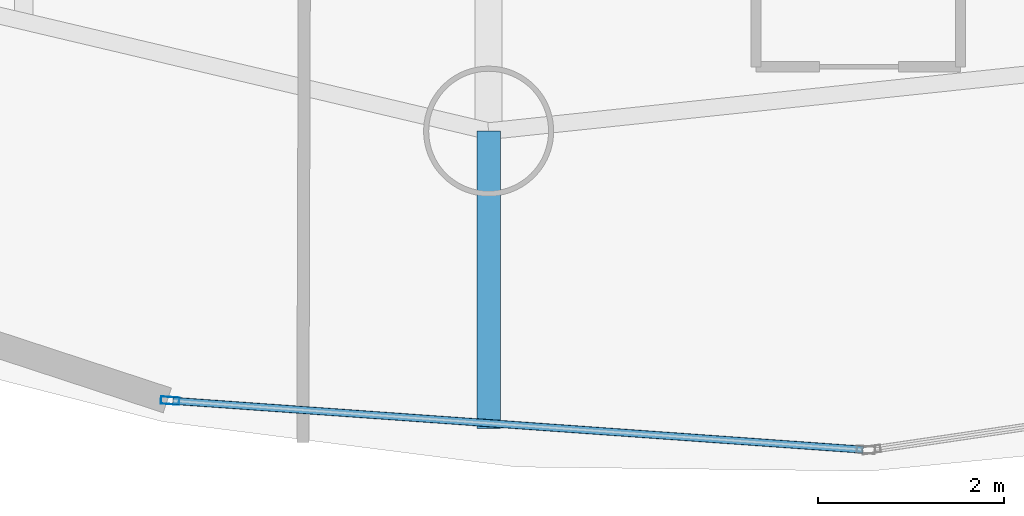
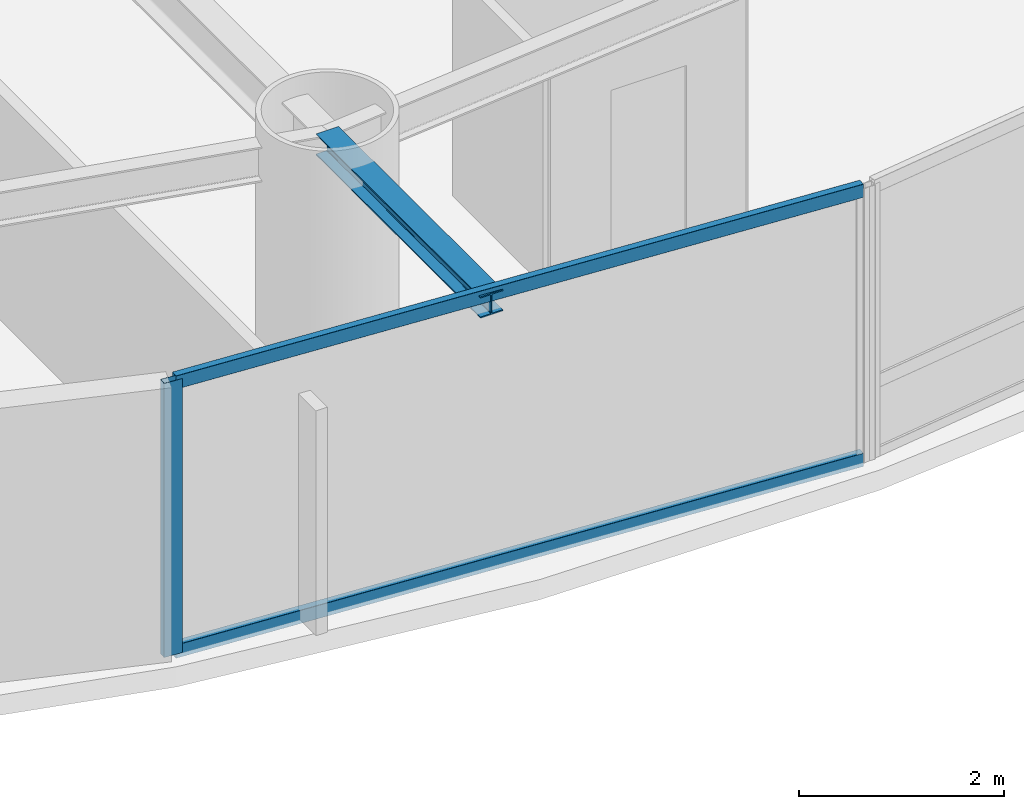
# One storey, part 2 of 22: 3 members, 1 beam, 1 element without a shape of its own.
"""IFC4 building model written with IfcOpenShell, lengths in metres."""

from ifc_helpers import new_model, si_unit, direction, frame, origin, origin_2d, place, context, subcontext, project, spatial, hollow_rectangle, i_section, extrude, material, layer, layer_set, material_profile, profile_set, type_object, element, aggregate, save


model = new_model("IFC4")

# Units and contexts
model_context = context("Model", 3, precision=1e-05, world=origin(), true_north=direction((0.0, 1.0)))
body_context = subcontext(model_context, "Body", "Model", "MODEL_VIEW")
ifc_project = project(units=[si_unit("LENGTHUNIT", "METRE"), si_unit("AREAUNIT", "SQUARE_METRE"), si_unit("VOLUMEUNIT", "CUBIC_METRE"), si_unit("PLANEANGLEUNIT", "RADIAN"), si_unit("MASSUNIT", "GRAM", prefix="KILO")], contexts=[model_context])

# Site, building, storey
site_placement = place(None, origin())
site = spatial("IfcSite", under=ifc_project, at=site_placement, CompositionType="ELEMENT")
building_placement = place(site_placement, origin())
building = spatial("IfcBuilding", under=site, at=building_placement, Name="Bramvorn Convention Spire", CompositionType="ELEMENT")
storey_placement = place(building_placement, frame((0.0, 0.0, 134.300048828125)))
storey = spatial("IfcBuildingStorey", under=building, at=storey_placement, Name="L33", CompositionType="ELEMENT", Elevation=134.300048828125)

# Beam
ifc_material_1 = material(Name="Steel CSA G40.21 Grade 350 (350W)", Category="steel")
ifc_material_profile_1 = material_profile(ifc_material_1, i_section(OverallWidth=0.25390625, OverallDepth=0.2529296875, WebThickness=0.008544921875, FlangeThickness=0.01416015625, FilletRadius=0.011962890625, at=origin_2d()))
ifc_profile_set_1 = profile_set([ifc_material_profile_1], Name="Steel CSA G40.21 Grade 350 (350W) - W250X73")
beam_type = type_object("IfcBeamType", Name="BM-W250X73", PredefinedType="BEAM", material=ifc_profile_set_1)
beam_placement = place(storey_placement, frame((39.924072265625, 5.482666015625, 3.133544921875), z_axis=(0.0, -1.0, 0.0), x_axis=(1.0, 0.0, 0.0)))
element("IfcBeam", 1, at=beam_placement, inside=storey, type_object=beam_type, Name="L33 slab-edge cantilever tip beam MC14", PredefinedType="BEAM", context=body_context, shape_type="SweptSolid", body=[
    extrude(i_section(OverallWidth=0.25390625, OverallDepth=0.2529296875, WebThickness=0.008544921875, FlangeThickness=0.01416015625, FilletRadius=0.011962890625, at=origin_2d()), origin(), (0.0, 0.0, 1.0), 3.199951171875),
])

# Curtain wall, members
ifc_material_2 = material(Name="Anodised Bronze Unitised Curtain Wall", Category="aluminium")
ifc_layer = layer(ifc_material_2, 0.179931640625)
ifc_layer_set = layer_set([ifc_layer], Name="Anodised Bronze Unitised Curtain Wall - CW-HTL-FRIT")
curtain_wall_type = type_object("IfcCurtainWallType", Name="CW-HTL-FRIT", PredefinedType="USERDEFINED", material=ifc_layer_set)
curtain_wall_placement = place(storey_placement, origin())
curtain_wall = element("IfcCurtainWall", 2, at=curtain_wall_placement, inside=storey, type_object=curtain_wall_type, Name="L33 fritted glass curtain wall 20", ObjectType="UNITISED CURTAIN WALL", PredefinedType="USERDEFINED")
ifc_material_3 = material(Name="Anodised Bronze Aluminium 6063-T6", Category="aluminium")
ifc_material_profile_2 = material_profile(ifc_material_3, hollow_rectangle(XDim=0.080078125, YDim=0.199951171875, WallThickness=0.00390625, InnerFilletRadius=0.0009765625, OuterFilletRadius=0.00390625, at=origin_2d()))
ifc_profile_set_2 = profile_set([ifc_material_profile_2], Name="Anodised Bronze Aluminium 6063-T6 - CWM80X200")
member_type_1 = type_object("IfcMemberType", Name="CW-MUL-180", PredefinedType="MULLION", material=ifc_profile_set_2)
member_1_placement = place(storey_placement, frame((36.4951171875, 2.582275390625, 0.0), z_axis=(0.0, 0.0, 1.0), x_axis=(-0.070629242873, -0.997502636614, 0.0)))
member_1 = element("IfcMember", 3, at=member_1_placement, type_object=member_type_1, Name="CW2 mullion 2", PredefinedType="MULLION", context=body_context, shape_type="SweptSolid", body=[
    extrude(hollow_rectangle(XDim=0.080078125, YDim=0.199951171875, WallThickness=0.00390625, InnerFilletRadius=0.0009765625, OuterFilletRadius=0.00390625, at=origin_2d()), origin(), (0.0, 0.0, 1.0), 3.260009765625),
])
ifc_material_profile_3 = material_profile(ifc_material_3, hollow_rectangle(XDim=0.080078125, YDim=0.159912109375, WallThickness=0.00390625, InnerFilletRadius=0.0009765625, OuterFilletRadius=0.00390625, at=origin_2d()))
ifc_profile_set_3 = profile_set([ifc_material_profile_3], Name="Anodised Bronze Aluminium 6063-T6 - CWT80X160")
member_type_2 = type_object("IfcMemberType", Name="CW-TRN-150", PredefinedType="USERDEFINED", material=ifc_profile_set_3)
member_2_placement = place(storey_placement, frame((43.95556640625, 2.05419921875, 0.030029296875), z_axis=(-0.997502596856, 0.070629804377, 0.0), x_axis=(-0.070629804377, -0.997502596856, 0.0)))
member_2 = element("IfcMember", 4, at=member_2_placement, type_object=member_type_2, Name="CW2 transom 1.1", ObjectType="TRANSOM", PredefinedType="USERDEFINED", context=body_context, shape_type="SweptSolid", body=[
    extrude(hollow_rectangle(XDim=0.080078125, YDim=0.159912109375, WallThickness=0.00390625, InnerFilletRadius=0.0009765625, OuterFilletRadius=0.00390625, at=origin_2d()), origin(), (0.0, 0.0, 1.0), 7.448974609375),
])
member_3_placement = place(storey_placement, frame((43.95556640625, 2.05419921875, 3.22998046875), z_axis=(-0.997502596856, 0.070629804377, 0.0), x_axis=(-0.070629804377, -0.997502596856, 0.0)))
member_3 = element("IfcMember", 5, at=member_3_placement, type_object=member_type_2, Name="CW2 transom 1.2", ObjectType="TRANSOM", PredefinedType="USERDEFINED", context=body_context, shape_type="SweptSolid", body=[
    extrude(hollow_rectangle(XDim=0.080078125, YDim=0.159912109375, WallThickness=0.00390625, InnerFilletRadius=0.0009765625, OuterFilletRadius=0.00390625, at=origin_2d()), origin(), (0.0, 0.0, 1.0), 7.448974609375),
])
aggregate(curtain_wall, [member_1, member_2, member_3])

save(model, "model.ifc")
